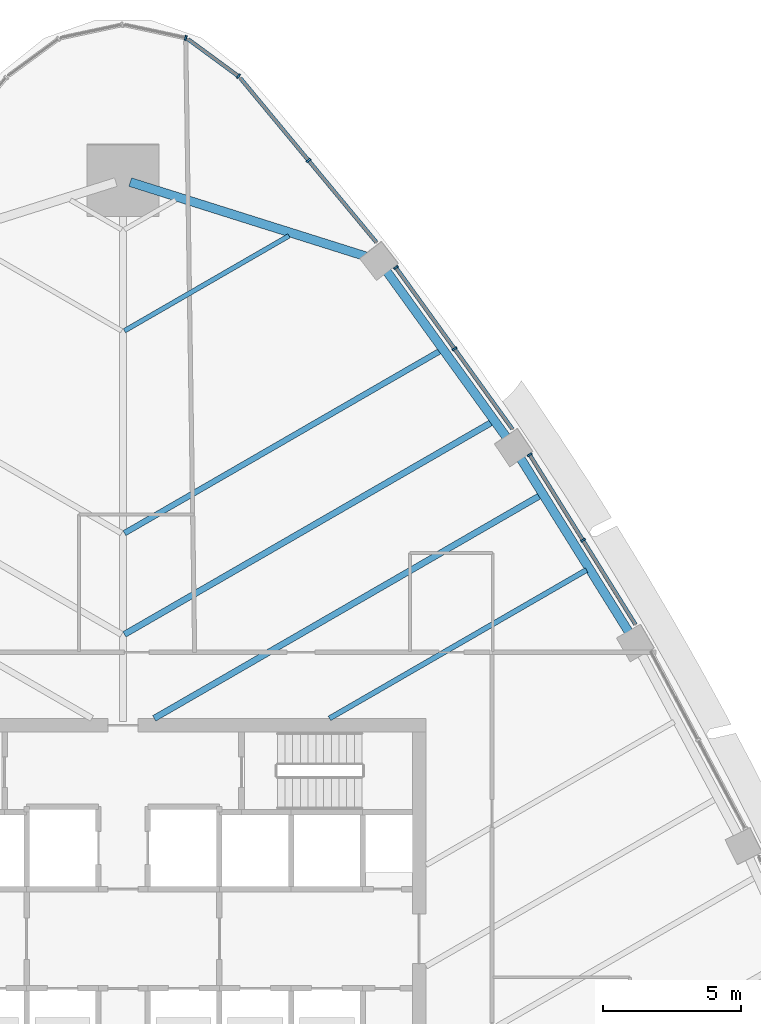
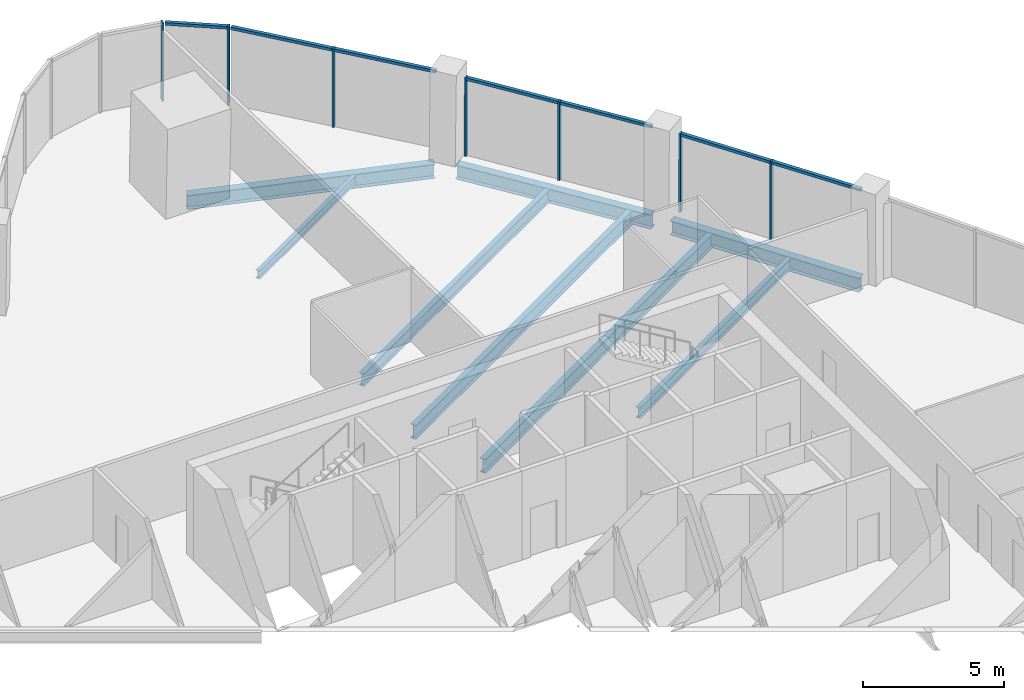
# One storey, part 7 of 17: 14 members, 8 beams, 5 elements without a shape of their own.
"""IFC4 building model written with IfcOpenShell, lengths in metres."""

from ifc_helpers import new_model, si_unit, direction, frame, origin, origin_2d, place, context, subcontext, project, spatial, rectangle, i_section, extrude, material, layer, layer_set, material_profile, profile_set, type_object, element, aggregate, save


model = new_model("IFC4")

# Units and contexts
model_context = context("Model", 3, precision=1e-05, world=origin(), true_north=direction((0.0, 1.0)))
body_context = subcontext(model_context, "Body", "Model", "MODEL_VIEW")
ifc_project = project(units=[si_unit("LENGTHUNIT", "METRE"), si_unit("AREAUNIT", "SQUARE_METRE"), si_unit("VOLUMEUNIT", "CUBIC_METRE"), si_unit("PLANEANGLEUNIT", "RADIAN"), si_unit("MASSUNIT", "GRAM", prefix="KILO")], contexts=[model_context])

# Site, building, storey
site_placement = place(None, origin())
site = spatial("IfcSite", under=ifc_project, at=site_placement, CompositionType="ELEMENT")
building_placement = place(site_placement, origin())
building = spatial("IfcBuilding", under=site, at=building_placement, Name="Sierra Prisma Convention Tower", CompositionType="ELEMENT")
storey_placement = place(building_placement, frame((0.0, 0.0, 169.800048828125)))
storey = spatial("IfcBuildingStorey", under=building, at=storey_placement, Name="L37", CompositionType="ELEMENT", Elevation=169.800048828125)

# Curtain wall, members
ifc_material_1 = material(Name="Aluminium and glass curtain wall", Category="aluminium")
ifc_layer = layer(ifc_material_1, 0.179931640625)
ifc_layer_set = layer_set([ifc_layer], Name="CW-1 Plain shaft curtain wall")
curtain_wall_type = type_object("IfcCurtainWallType", Name="CW-1 Plain shaft curtain wall", PredefinedType="NOTDEFINED", material=ifc_layer_set)
curtain_wall_1_placement = place(storey_placement, origin())
curtain_wall_1 = element("IfcCurtainWall", 1, at=curtain_wall_1_placement, inside=storey, type_object=curtain_wall_type, Name="CW-1 NE4 L37", PredefinedType="NOTDEFINED")
ifc_material_2 = material(Name="Aluminium 6063-T6 bronze anodised", Category="aluminium")
ifc_material_profile_1 = material_profile(ifc_material_2, rectangle(XDim=0.179931640625, YDim=0.070068359375, at=origin_2d()), Name="ALU MULLION 70x180")
ifc_profile_set_1 = profile_set([ifc_material_profile_1], Name="Aluminium 6063-T6 bronze anodised")
member_type_1 = type_object("IfcMemberType", Name="CW mullion bronze", PredefinedType="MULLION", material=ifc_profile_set_1)
member_1_placement = place(storey_placement, frame((16.693359375, 14.4697265625, 0.0), z_axis=(0.0, 0.0, 1.0), x_axis=(-0.848676003318, -0.52891307546, 0.0)))
member_1 = element("IfcMember", 2, at=member_1_placement, type_object=member_type_1, Name="CW-1 mullion NE4.2", PredefinedType="MULLION", context=body_context, shape_type="SweptSolid", body=[
    extrude(rectangle(XDim=0.179931640625, YDim=0.070068359375, at=origin_2d()), origin(), (0.0, 0.0, 1.0), 3.39990234375),
])
member_2_placement = place(storey_placement, frame((14.76171875, 17.569091796875, 0.0), z_axis=(0.0, 0.0, 1.0), x_axis=(-0.848676003318, -0.52891307546, 0.0)))
member_2 = element("IfcMember", 3, at=member_2_placement, type_object=member_type_1, Name="CW-1 mullion NE4.3", PredefinedType="MULLION", context=body_context, shape_type="SweptSolid", body=[
    extrude(rectangle(XDim=0.179931640625, YDim=0.070068359375, at=origin_2d()), origin(), (0.0, 0.0, 1.0), 3.39990234375),
])

curtain_wall_2_placement = place(storey_placement, origin())
curtain_wall_2 = element("IfcCurtainWall", 4, at=curtain_wall_2_placement, inside=storey, type_object=curtain_wall_type, Name="CW-1 NE5 L37", PredefinedType="NOTDEFINED")
member_3_placement = place(storey_placement, frame((12.0322265625, 21.417236328125, 0.0), z_axis=(0.0, 0.0, 1.0), x_axis=(-0.811103273731, -0.58490296575, 0.0)))
member_3 = element("IfcMember", 5, at=member_3_placement, type_object=member_type_1, Name="CW-1 mullion NE5.2", PredefinedType="MULLION", context=body_context, shape_type="SweptSolid", body=[
    extrude(rectangle(XDim=0.179931640625, YDim=0.070068359375, at=origin_2d()), origin(), (0.0, 0.0, 1.0), 3.39990234375),
])
member_4_placement = place(storey_placement, frame((9.9052734375, 24.366943359375, 0.0), z_axis=(0.0, 0.0, 1.0), x_axis=(-0.811103273731, -0.58490296575, 0.0)))
member_4 = element("IfcMember", 6, at=member_4_placement, type_object=member_type_1, Name="CW-1 mullion NE5.3", PredefinedType="MULLION", context=body_context, shape_type="SweptSolid", body=[
    extrude(rectangle(XDim=0.179931640625, YDim=0.070068359375, at=origin_2d()), origin(), (0.0, 0.0, 1.0), 3.39990234375),
])

# Curtain wall, member
curtain_wall_3_placement = place(storey_placement, origin())
curtain_wall_3 = element("IfcCurtainWall", 7, at=curtain_wall_3_placement, inside=storey, type_object=curtain_wall_type, Name="CW-1 NE6 L37", PredefinedType="NOTDEFINED")
member_5_placement = place(storey_placement, frame((6.7314453125, 28.256103515625, 0.0), z_axis=(0.0, 0.0, 1.0), x_axis=(-0.769842799986, -0.638233549188, 0.0)))
member_5 = element("IfcMember", 8, at=member_5_placement, type_object=member_type_1, Name="CW-1 mullion NE6.2", PredefinedType="MULLION", context=body_context, shape_type="SweptSolid", body=[
    extrude(rectangle(XDim=0.179931640625, YDim=0.070068359375, at=origin_2d()), origin(), (0.0, 0.0, 1.0), 3.39990234375),
])

curtain_wall_4_placement = place(storey_placement, origin())
curtain_wall_4 = element("IfcCurtainWall", 9, at=curtain_wall_4_placement, inside=storey, type_object=curtain_wall_type, Name="CW-1 N1 L37", PredefinedType="NOTDEFINED")
member_6_placement = place(storey_placement, frame((4.186767578125, 31.312255859375, 0.0), z_axis=(0.0, 0.0, 1.0), x_axis=(-0.592094718017, -0.805868379387, 0.0)))
member_6 = element("IfcMember", 10, at=member_6_placement, type_object=member_type_1, Name="CW-1 mullion N1.1", PredefinedType="MULLION", context=body_context, shape_type="SweptSolid", body=[
    extrude(rectangle(XDim=0.179931640625, YDim=0.070068359375, at=origin_2d()), origin(), (0.0, 0.0, 1.0), 3.39990234375),
])

curtain_wall_5_placement = place(storey_placement, origin())
curtain_wall_5 = element("IfcCurtainWall", 11, at=curtain_wall_5_placement, inside=storey, type_object=curtain_wall_type, Name="CW-1 N2 L37", PredefinedType="NOTDEFINED")
member_7_placement = place(storey_placement, frame((2.2763671875, 32.697998046875, 0.0), z_axis=(0.0, 0.0, 1.0), x_axis=(-0.209651539511, -0.977776166605, 0.0)))
member_7 = element("IfcMember", 12, at=member_7_placement, type_object=member_type_1, Name="CW-1 mullion N2.1", PredefinedType="MULLION", context=body_context, shape_type="SweptSolid", body=[
    extrude(rectangle(XDim=0.179931640625, YDim=0.070068359375, at=origin_2d()), origin(), (0.0, 0.0, 1.0), 3.39990234375),
])
aggregate(curtain_wall_5, [member_7])

# Member
ifc_material_3 = material(Name="Aluminium 6063-T6 bronze anodised", Category="aluminium")
ifc_material_profile_2 = material_profile(ifc_material_3, rectangle(XDim=0.139892578125, YDim=0.1201171875, at=origin_2d()), Name="ALU TRANSOM 120x140")
ifc_profile_set_2 = profile_set([ifc_material_profile_2], Name="Aluminium 6063-T6 bronze anodised")
member_type_2 = type_object("IfcMemberType", Name="CW transom bronze", PredefinedType="USERDEFINED", material=ifc_profile_set_2)
member_8_placement = place(storey_placement, frame((18.6064453125, 11.400146484375, 3.33984375), z_axis=(-0.528926327005, 0.848667744528, 0.0), x_axis=(-0.848667744528, -0.528926327005, 0.0)))
member_8 = element("IfcMember", 13, at=member_8_placement, type_object=member_type_2, Name="CW-1 transom NE4.1", ObjectType="TRANSOM", PredefinedType="USERDEFINED", context=body_context, shape_type="SweptSolid", body=[
    extrude(rectangle(XDim=0.139892578125, YDim=0.1201171875, at=origin_2d()), origin(), (0.0, 0.0, 1.0), 3.581787109375),
])

member_9_placement = place(storey_placement, frame((16.6748046875, 14.49951171875, 3.33984375), z_axis=(-0.528926327005, 0.848667744528, 0.0), x_axis=(-0.848667744528, -0.528926327005, 0.0)))
member_9 = element("IfcMember", 14, at=member_9_placement, type_object=member_type_2, Name="CW-1 transom NE4.2", ObjectType="TRANSOM", PredefinedType="USERDEFINED", context=body_context, shape_type="SweptSolid", body=[
    extrude(rectangle(XDim=0.139892578125, YDim=0.1201171875, at=origin_2d()), origin(), (0.0, 0.0, 1.0), 3.581787109375),
])

aggregate(curtain_wall_1, [member_1, member_2, member_8, member_9])

member_10_placement = place(storey_placement, frame((14.138916015625, 18.495849609375, 3.33984375), z_axis=(-0.584923077358, 0.811088770465, 0.0), x_axis=(-0.811088770465, -0.584923077358, 0.0)))
member_10 = element("IfcMember", 15, at=member_10_placement, type_object=member_type_2, Name="CW-1 transom NE5.1", ObjectType="TRANSOM", PredefinedType="USERDEFINED", context=body_context, shape_type="SweptSolid", body=[
    extrude(rectangle(XDim=0.139892578125, YDim=0.1201171875, at=origin_2d()), origin(), (0.0, 0.0, 1.0), 3.566650390625),
])

member_11_placement = place(storey_placement, frame((12.01171875, 21.445556640625, 3.33984375), z_axis=(-0.584923077358, 0.811088770465, 0.0), x_axis=(-0.811088770465, -0.584923077358, 0.0)))
member_11 = element("IfcMember", 16, at=member_11_placement, type_object=member_type_2, Name="CW-1 transom NE5.2", ObjectType="TRANSOM", PredefinedType="USERDEFINED", context=body_context, shape_type="SweptSolid", body=[
    extrude(rectangle(XDim=0.139892578125, YDim=0.1201171875, at=origin_2d()), origin(), (0.0, 0.0, 1.0), 3.566650390625),
])

aggregate(curtain_wall_2, [member_3, member_4, member_10, member_11])

member_12_placement = place(storey_placement, frame((9.203369140625, 25.2744140625, 3.33984375), z_axis=(-0.638230140725, 0.76984562574, 0.0), x_axis=(-0.76984562574, -0.638230140725, 0.0)))
member_12 = element("IfcMember", 17, at=member_12_placement, type_object=member_type_2, Name="CW-1 transom NE6.1", ObjectType="TRANSOM", PredefinedType="USERDEFINED", context=body_context, shape_type="SweptSolid", body=[
    extrude(rectangle(XDim=0.139892578125, YDim=0.1201171875, at=origin_2d()), origin(), (0.0, 0.0, 1.0), 3.837890625),
])

member_13_placement = place(storey_placement, frame((6.709228515625, 28.282958984375, 3.33984375), z_axis=(-0.638236585633, 0.76984028263, 0.0), x_axis=(-0.76984028263, -0.638236585633, 0.0)))
member_13 = element("IfcMember", 18, at=member_13_placement, type_object=member_type_2, Name="CW-1 transom NE6.2", ObjectType="TRANSOM", PredefinedType="USERDEFINED", context=body_context, shape_type="SweptSolid", body=[
    extrude(rectangle(XDim=0.139892578125, YDim=0.1201171875, at=origin_2d()), origin(), (0.0, 0.0, 1.0), 3.838134765625),
])

aggregate(curtain_wall_3, [member_5, member_12, member_13])

member_14_placement = place(storey_placement, frame((4.158447265625, 31.3330078125, 3.33984375), z_axis=(-0.805891437644, 0.592063333379, 0.0), x_axis=(-0.592063333379, -0.805891437644, 0.0)))
member_14 = element("IfcMember", 19, at=member_14_placement, type_object=member_type_2, Name="CW-1 transom N1.1", ObjectType="TRANSOM", PredefinedType="USERDEFINED", context=body_context, shape_type="SweptSolid", body=[
    extrude(rectangle(XDim=0.139892578125, YDim=0.1201171875, at=origin_2d()), origin(), (0.0, 0.0, 1.0), 2.222900390625),
])

aggregate(curtain_wall_4, [member_6, member_14])

# Beams
ifc_material_4 = material(Name="Steel ASTM A992 Gr 50", Category="steel")
ifc_material_profile_3 = material_profile(ifc_material_4, i_section(OverallWidth=0.172119140625, OverallDepth=0.35791015625, WebThickness=0.0078125, FlangeThickness=0.01318359375, at=origin_2d()), Name="W360x57")
ifc_profile_set_3 = profile_set([ifc_material_profile_3], Name="Steel ASTM A992 Gr 50")
beam_type_1 = type_object("IfcBeamType", Name="Floor joist W360x57", PredefinedType="JOIST", material=ifc_profile_set_3)
beam_1_placement = place(storey_placement, frame((6.025390625, 25.51904296875, -0.3291015625), z_axis=(-0.866024113344, -0.500002235103, 0.0), x_axis=(0.500002235103, -0.866024113344, 0.0)))
element("IfcBeam", 20, at=beam_1_placement, inside=storey, type_object=beam_type_1, Name="Floor joist L37 NE14", PredefinedType="JOIST", context=body_context, shape_type="SweptSolid", body=[
    extrude(i_section(OverallWidth=0.172119140625, OverallDepth=0.35791015625, WebThickness=0.0078125, FlangeThickness=0.01318359375, at=origin_2d()), origin(), (0.0, 0.0, 1.0), 6.89892578125),
])
ifc_material_5 = material(Name="Steel ASTM A992 Gr 50", Category="steel")
ifc_material_profile_4 = material_profile(ifc_material_5, i_section(OverallWidth=0.18994140625, OverallDepth=0.45703125, WebThickness=0.009033203125, FlangeThickness=0.014404296875, at=origin_2d()), Name="W460x74")
ifc_profile_set_4 = profile_set([ifc_material_profile_4], Name="Steel ASTM A992 Gr 50")
beam_type_2 = type_object("IfcBeamType", Name="Floor joist W460x74", PredefinedType="JOIST", material=ifc_profile_set_4)
beam_2_placement = place(storey_placement, frame((16.823486328125, 13.386474609375, -0.378662109375), z_axis=(-0.866024061214, -0.500002325393, 0.0), x_axis=(0.500002325393, -0.866024061214, 0.0)))
element("IfcBeam", 21, at=beam_2_placement, inside=storey, type_object=beam_type_2, Name="Floor joist L37 NE09", PredefinedType="JOIST", context=body_context, shape_type="SweptSolid", body=[
    extrude(i_section(OverallWidth=0.18994140625, OverallDepth=0.45703125, WebThickness=0.009033203125, FlangeThickness=0.014404296875, at=origin_2d()), origin(), (0.0, 0.0, 1.0), 10.77294921875),
])
ifc_material_6 = material(Name="Steel ASTM A992 Gr 50", Category="steel")
ifc_material_profile_5 = material_profile(ifc_material_6, i_section(OverallWidth=0.208984375, OverallDepth=0.532958984375, WebThickness=0.01025390625, FlangeThickness=0.015625, at=origin_2d()), Name="W530x92")
ifc_profile_set_5 = profile_set([ifc_material_profile_5], Name="Steel ASTM A992 Gr 50")
beam_type_3 = type_object("IfcBeamType", Name="Floor joist W530x92", PredefinedType="JOIST", material=ifc_profile_set_5)
beam_3_placement = place(storey_placement, frame((11.515869140625, 21.34228515625, -0.41650390625), z_axis=(-0.866024972507, -0.500000746994, 0.0), x_axis=(0.500000746994, -0.866024972507, 0.0)))
element("IfcBeam", 22, at=beam_3_placement, inside=storey, type_object=beam_type_3, Name="Floor joist L37 NE12", PredefinedType="JOIST", context=body_context, shape_type="SweptSolid", body=[
    extrude(i_section(OverallWidth=0.208984375, OverallDepth=0.532958984375, WebThickness=0.01025390625, FlangeThickness=0.015625, at=origin_2d()), origin(), (0.0, 0.0, 1.0), 13.23876953125),
])
ifc_material_7 = material(Name="Steel ASTM A992 Gr 50", Category="steel")
ifc_material_profile_6 = material_profile(ifc_material_7, i_section(OverallWidth=0.22802734375, OverallDepth=0.60302734375, WebThickness=0.010498046875, FlangeThickness=0.014892578125, at=origin_2d()), Name="W610x101")
ifc_profile_set_6 = profile_set([ifc_material_profile_6], Name="Steel ASTM A992 Gr 50")
beam_type_4 = type_object("IfcBeamType", Name="Floor joist W610x101", PredefinedType="JOIST", material=ifc_profile_set_6)
beam_4_placement = place(storey_placement, frame((15.14013671875, 16.087890625, -0.45166015625), z_axis=(-0.866027746362, -0.499995942515, 0.0), x_axis=(0.499995942515, -0.866027746362, 0.0)))
element("IfcBeam", 23, at=beam_4_placement, inside=storey, type_object=beam_type_4, Name="Floor joist L37 NE10", PredefinedType="JOIST", context=body_context, shape_type="SweptSolid", body=[
    extrude(i_section(OverallWidth=0.22802734375, OverallDepth=0.60302734375, WebThickness=0.010498046875, FlangeThickness=0.014892578125, at=origin_2d()), origin(), (0.0, 0.0, 1.0), 16.176025390625),
])
beam_5_placement = place(storey_placement, frame((13.38623046875, 18.748779296875, -0.45166015625), z_axis=(-0.866025585055, -0.49999968603, 0.0), x_axis=(0.49999968603, -0.866025585055, 0.0)))
element("IfcBeam", 24, at=beam_5_placement, inside=storey, type_object=beam_type_4, Name="Floor joist L37 NE11", PredefinedType="JOIST", context=body_context, shape_type="SweptSolid", body=[
    extrude(i_section(OverallWidth=0.22802734375, OverallDepth=0.60302734375, WebThickness=0.010498046875, FlangeThickness=0.014892578125, at=origin_2d()), origin(), (0.0, 0.0, 1.0), 15.3984375),
])
ifc_material_8 = material(Name="Steel ASTM A992 Gr 50", Category="steel")
ifc_material_profile_7 = material_profile(ifc_material_8, i_section(OverallWidth=0.324951171875, OverallDepth=0.615966796875, WebThickness=0.013916015625, FlangeThickness=0.021484375, at=origin_2d()), Name="W610x174")
ifc_profile_set_7 = profile_set([ifc_material_profile_7], Name="Steel ASTM A992 Gr 50")
beam_type_5 = type_object("IfcBeamType", Name="Spandrel beam W610x174", PredefinedType="BEAM", material=ifc_profile_set_7)
beam_6_placement = place(storey_placement, frame((18.403564453125, 11.064208984375, -0.4580078125), z_axis=(-0.528907301819, 0.848679601547, 0.0), x_axis=(-0.848679601547, -0.528907301819, 0.0)))
element("IfcBeam", 25, at=beam_6_placement, inside=storey, type_object=beam_type_5, Name="Spandrel L37-10", PredefinedType="BEAM", context=body_context, shape_type="SweptSolid", body=[
    extrude(i_section(OverallWidth=0.324951171875, OverallDepth=0.615966796875, WebThickness=0.013916015625, FlangeThickness=0.021484375, at=origin_2d()), origin(), (0.0, 0.0, 1.0), 7.60205078125),
])
beam_7_placement = place(storey_placement, frame((13.959228515625, 18.14697265625, -0.4580078125), z_axis=(-0.584890032771, 0.811112599806, 0.0), x_axis=(-0.811112599806, -0.584890032771, 0.0)))
element("IfcBeam", 26, at=beam_7_placement, inside=storey, type_object=beam_type_5, Name="Spandrel L37-11", PredefinedType="BEAM", context=body_context, shape_type="SweptSolid", body=[
    extrude(i_section(OverallWidth=0.324951171875, OverallDepth=0.615966796875, WebThickness=0.013916015625, FlangeThickness=0.021484375, at=origin_2d()), origin(), (0.0, 0.0, 1.0), 7.601806640625),
])
beam_8_placement = place(storey_placement, frame((8.82421875, 24.768310546875, -0.4580078125), z_axis=(-0.953719806133, 0.300696743232, 0.0), x_axis=(-0.300696743232, -0.953719806133, 0.0)))
element("IfcBeam", 27, at=beam_8_placement, inside=storey, type_object=beam_type_5, Name="Spandrel L37-12", PredefinedType="BEAM", context=body_context, shape_type="SweptSolid", body=[
    extrude(i_section(OverallWidth=0.324951171875, OverallDepth=0.615966796875, WebThickness=0.013916015625, FlangeThickness=0.021484375, at=origin_2d()), origin(), (0.0, 0.0, 1.0), 8.979736328125),
])

save(model, "model.ifc")
